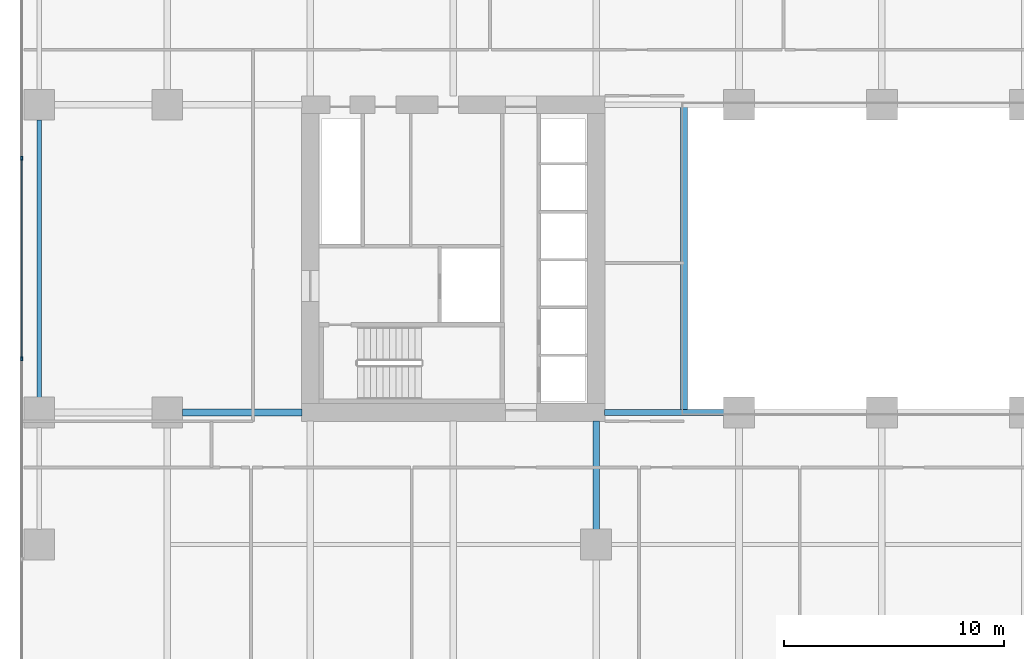
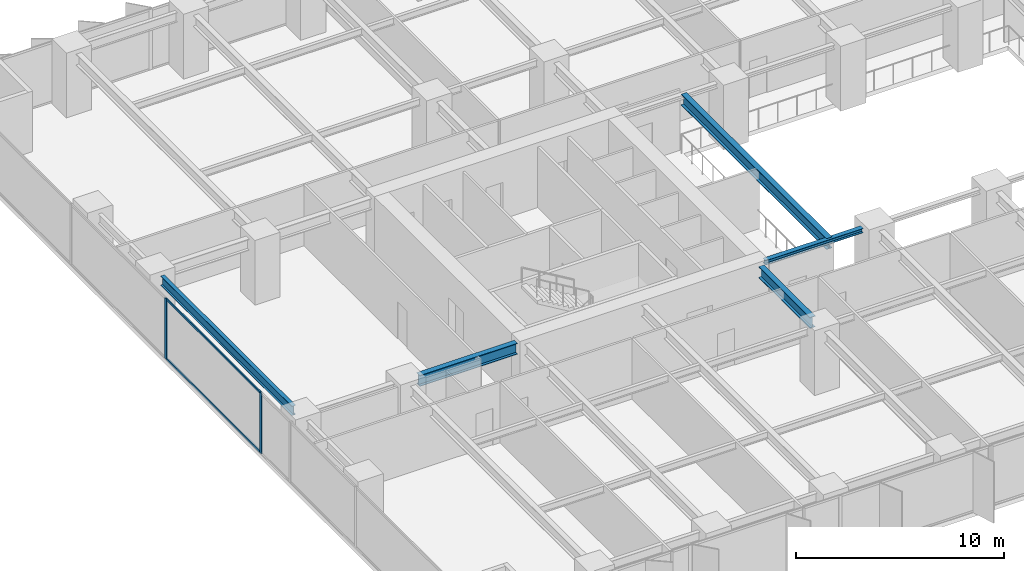
# One storey, part 4 of 20: 5 beams, 4 members, 1 element without a shape of its own.
"""IFC4 building model written with IfcOpenShell, lengths in metres."""

from ifc_helpers import new_model, si_unit, direction, frame, origin, origin_2d, place, context, subcontext, project, spatial, rectangle, i_section, extrude, material, layer, layer_set, material_profile, profile_set, type_object, element, aggregate, save


model = new_model("IFC4")

# Units and contexts
model_context = context("Model", 3, precision=1e-05, world=origin(), true_north=direction((0.0, 1.0)))
body_context = subcontext(model_context, "Body", "Model", "MODEL_VIEW")
ifc_project = project(units=[si_unit("LENGTHUNIT", "METRE"), si_unit("AREAUNIT", "SQUARE_METRE"), si_unit("VOLUMEUNIT", "CUBIC_METRE"), si_unit("PLANEANGLEUNIT", "RADIAN"), si_unit("MASSUNIT", "GRAM", prefix="KILO")], contexts=[model_context])

# Site, building, storey
site_placement = place(None, origin())
site = spatial("IfcSite", under=ifc_project, at=site_placement, CompositionType="ELEMENT")
building_placement = place(site_placement, origin())
building = spatial("IfcBuilding", under=site, at=building_placement, Name="Putna Gate Headquarters", CompositionType="ELEMENT")
storey_placement = place(building_placement, frame((0.0, 0.0, 62.0)))
storey = spatial("IfcBuildingStorey", under=building, at=storey_placement, Name="L14", CompositionType="ELEMENT", Elevation=62.0)

# Beams
ifc_material_1 = material(Name="Steel S355J2", Category="steel")
ifc_material_profile_1 = material_profile(ifc_material_1, i_section(OverallWidth=0.260009765625, OverallDepth=0.260009765625, WebThickness=0.010009765625, FlangeThickness=0.017578125, at=origin_2d()), Name="Steel S355J2")
ifc_profile_set_1 = profile_set([ifc_material_profile_1], Name="Steel S355J2")
beam_type_1 = type_object("IfcBeamType", Name="BM-ATRIUM-HEB260", PredefinedType="BEAM", material=ifc_profile_set_1)
beam_1_placement = place(storey_placement, frame((26.385009765625, 19.0, 3.419921875), z_axis=(1.0, 0.0, 0.0), x_axis=(0.0, 1.0, 0.0)))
element("IfcBeam", 1, at=beam_1_placement, inside=storey, type_object=beam_type_1, Name="L14 Atrium Edge Beam AS1", PredefinedType="BEAM", context=body_context, shape_type="SweptSolid", body=[
    extrude(i_section(OverallWidth=0.260009765625, OverallDepth=0.260009765625, WebThickness=0.010009765625, FlangeThickness=0.017578125, at=origin_2d()), origin(), (0.0, 0.0, 1.0), 5.427001953125),
])
ifc_material_profile_2 = material_profile(ifc_material_1, i_section(OverallWidth=0.300048828125, OverallDepth=0.64990234375, WebThickness=0.01611328125, FlangeThickness=0.031005859375, at=origin_2d()), Name="Steel S355J2")
ifc_profile_set_2 = profile_set([ifc_material_profile_2], Name="Steel S355J2")
beam_type_2 = type_object("IfcBeamType", Name="BM-GIRD-Z1-HEB650", PredefinedType="USERDEFINED", material=ifc_profile_set_2)
beam_2_placement = place(storey_placement, frame((7.18798828125, 19.0, 3.22509765625), z_axis=(1.0, 0.0, 0.0), x_axis=(0.0, 1.0, 0.0)))
element("IfcBeam", 2, at=beam_2_placement, inside=storey, type_object=beam_type_2, Name="L14 West Wing Girder Y19-2", ObjectType="GIRDER", PredefinedType="USERDEFINED", context=body_context, shape_type="SweptSolid", body=[
    extrude(i_section(OverallWidth=0.300048828125, OverallDepth=0.64990234375, WebThickness=0.01611328125, FlangeThickness=0.031005859375, at=origin_2d()), origin(), (0.0, 0.0, 1.0), 5.427001953125),
])
beam_3_placement = place(storey_placement, frame((26.0, 13.68798828125, 3.22509765625), z_axis=(0.0, 1.0, 0.0), x_axis=(-1.0, 0.0, 0.0)))
element("IfcBeam", 3, at=beam_3_placement, inside=storey, type_object=beam_type_2, Name="L14 South Primary Girder X26-2", ObjectType="GIRDER", PredefinedType="USERDEFINED", context=body_context, shape_type="SweptSolid", body=[
    extrude(i_section(OverallWidth=0.300048828125, OverallDepth=0.64990234375, WebThickness=0.01611328125, FlangeThickness=0.031005859375, at=origin_2d()), origin(), (0.0, 0.0, 1.0), 4.927001953125),
])
beam_4_placement = place(storey_placement, frame((30.0, 19.010009765625, 3.22509765625), z_axis=(0.0, 1.0, 0.0), x_axis=(-1.0, 0.0, 0.0)))
element("IfcBeam", 4, at=beam_4_placement, inside=storey, type_object=beam_type_2, Name="L14 Atrium Trim Girder AW", ObjectType="GIRDER", PredefinedType="USERDEFINED", context=body_context, shape_type="SweptSolid", body=[
    extrude(i_section(OverallWidth=0.300048828125, OverallDepth=0.64990234375, WebThickness=0.01611328125, FlangeThickness=0.031005859375, at=origin_2d()), origin(), (0.0, 0.0, 1.0), 13.97998046875),
])
ifc_material_profile_3 = material_profile(ifc_material_1, i_section(OverallWidth=0.2099609375, OverallDepth=0.550048828125, WebThickness=0.010986328125, FlangeThickness=0.01708984375, at=origin_2d()), Name="Steel S355J2")
ifc_profile_set_3 = profile_set([ifc_material_profile_3], Name="Steel S355J2")
beam_type_3 = type_object("IfcBeamType", Name="BM-SPAN-Z1-IPE550", PredefinedType="SPANDREL", material=ifc_profile_set_3)
beam_5_placement = place(storey_placement, frame((0.679931640625, 19.68798828125, 3.27490234375), z_axis=(0.0, 1.0, 0.0), x_axis=(-1.0, 0.0, 0.0)))
element("IfcBeam", 5, at=beam_5_placement, inside=storey, type_object=beam_type_3, Name="L14 W End Spandrel 2", PredefinedType="SPANDREL", context=body_context, shape_type="SweptSolid", body=[
    extrude(i_section(OverallWidth=0.2099609375, OverallDepth=0.550048828125, WebThickness=0.010986328125, FlangeThickness=0.01708984375, at=origin_2d()), origin(), (0.0, 0.0, 1.0), 12.6240234375),
])

# Curtain wall, members
ifc_material_2 = material(Name="Anodised bronze aluminium curtain wall", Category="aluminium")
ifc_layer = layer(ifc_material_2, 0.179931640625)
ifc_layer_set = layer_set([ifc_layer], Name="Anodised bronze aluminium curtain wall")
curtain_wall_type = type_object("IfcCurtainWallType", Name="CW-SYS-Z1", PredefinedType="USERDEFINED", material=ifc_layer_set)
curtain_wall_placement = place(storey_placement, origin())
curtain_wall = element("IfcCurtainWall", 6, at=curtain_wall_placement, inside=storey, type_object=curtain_wall_type, Name="L14 West Curtain Wall", ObjectType="STICK CURTAIN WALL", PredefinedType="USERDEFINED")
ifc_material_3 = material(Name="Anodised bronze aluminium EN AW-6060", Category="aluminium")
ifc_material_profile_4 = material_profile(ifc_material_3, rectangle(XDim=0.070068359375, YDim=0.179931640625, at=origin_2d()), Name="Anodised bronze aluminium EN AW-6060")
ifc_profile_set_4 = profile_set([ifc_material_profile_4], Name="Anodised bronze aluminium EN AW-6060")
member_type_1 = type_object("IfcMemberType", Name="MULL-CWM-1", PredefinedType="MULLION", material=ifc_profile_set_4)
member_1_placement = place(storey_placement, frame((-0.1201171875, 21.43994140625, 0.0), z_axis=(0.0, 0.0, 1.0), x_axis=(-1.0, 0.0, 0.0)))
member_1 = element("IfcMember", 7, at=member_1_placement, type_object=member_type_1, Name="CWS-1 mullion 3", PredefinedType="MULLION", context=body_context, shape_type="SweptSolid", body=[
    extrude(rectangle(XDim=0.070068359375, YDim=0.179931640625, at=origin_2d()), origin(), (0.0, 0.0, 1.0), 3.550048828125),
])
member_2_placement = place(storey_placement, frame((-0.1201171875, 30.56005859375, 0.0), z_axis=(0.0, 0.0, 1.0), x_axis=(-1.0, 0.0, 0.0)))
member_2 = element("IfcMember", 8, at=member_2_placement, type_object=member_type_1, Name="CWS-1 mullion 4", PredefinedType="MULLION", context=body_context, shape_type="SweptSolid", body=[
    extrude(rectangle(XDim=0.070068359375, YDim=0.179931640625, at=origin_2d()), origin(), (0.0, 0.0, 1.0), 3.550048828125),
])
ifc_material_profile_5 = material_profile(ifc_material_3, rectangle(XDim=0.06494140625, YDim=0.1201171875, at=origin_2d()), Name="Anodised bronze aluminium EN AW-6060")
ifc_profile_set_5 = profile_set([ifc_material_profile_5], Name="Anodised bronze aluminium EN AW-6060")
member_type_2 = type_object("IfcMemberType", Name="TRAN-CWT-1", PredefinedType="USERDEFINED", material=ifc_profile_set_5)
member_3_placement = place(storey_placement, frame((-0.1201171875, 21.47509765625, 0.032470703125), z_axis=(0.0, 1.0, 0.0), x_axis=(-1.0, 0.0, 0.0)))
member_3 = element("IfcMember", 9, at=member_3_placement, type_object=member_type_2, Name="CWS-1 transom 3.1", ObjectType="TRANSOM", PredefinedType="USERDEFINED", context=body_context, shape_type="SweptSolid", body=[
    extrude(rectangle(XDim=0.06494140625, YDim=0.1201171875, at=origin_2d()), origin(), (0.0, 0.0, 1.0), 9.0498046875),
])
member_4_placement = place(storey_placement, frame((-0.1201171875, 21.47509765625, 3.517578125), z_axis=(0.0, 1.0, 0.0), x_axis=(-1.0, 0.0, 0.0)))
member_4 = element("IfcMember", 10, at=member_4_placement, type_object=member_type_2, Name="CWS-1 transom 3.2", ObjectType="TRANSOM", PredefinedType="USERDEFINED", context=body_context, shape_type="SweptSolid", body=[
    extrude(rectangle(XDim=0.06494140625, YDim=0.1201171875, at=origin_2d()), origin(), (0.0, 0.0, 1.0), 9.0498046875),
])
aggregate(curtain_wall, [member_1, member_2, member_3, member_4])

save(model, "model.ifc")
